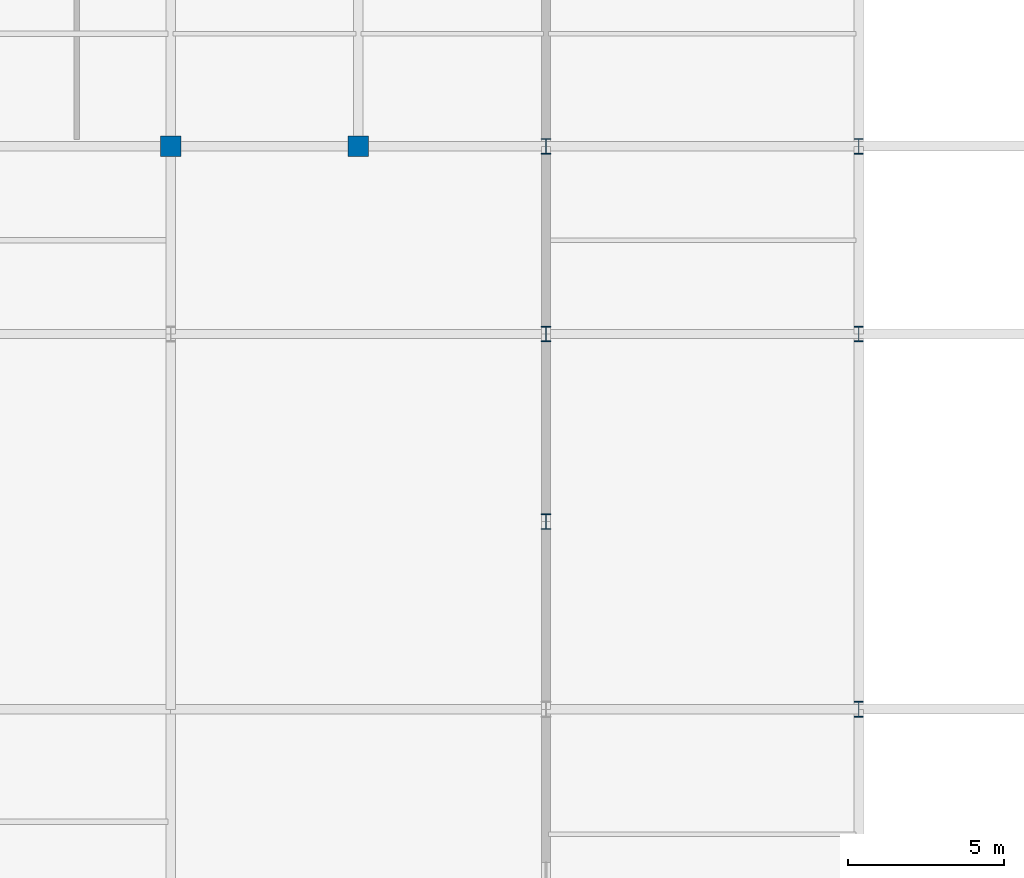
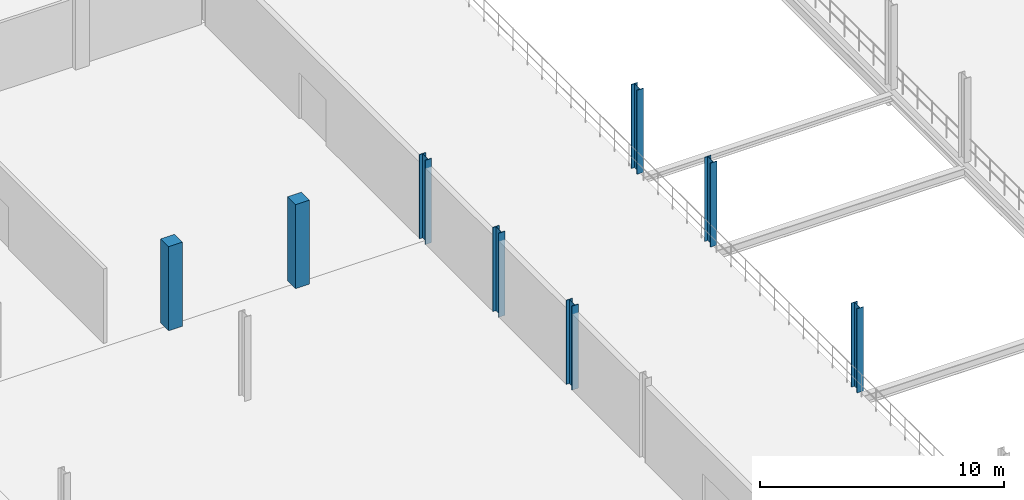
# One storey, part 9 of 158: 8 columns.
"""IFC4 building model written with IfcOpenShell, lengths in metres."""

from ifc_helpers import new_model, si_unit, direction, frame, origin, origin_2d, place, context, subcontext, project, spatial, rectangle, i_section, extrude, material, material_profile, profile_set, type_object, element, save


model = new_model("IFC4")

# Units and contexts
model_context = context("Model", 3, precision=1e-05, world=origin(), true_north=direction((0.0, 1.0)))
body_context = subcontext(model_context, "Body", "Model", "MODEL_VIEW")
ifc_project = project(units=[si_unit("LENGTHUNIT", "METRE"), si_unit("AREAUNIT", "SQUARE_METRE"), si_unit("VOLUMEUNIT", "CUBIC_METRE"), si_unit("PLANEANGLEUNIT", "RADIAN"), si_unit("MASSUNIT", "GRAM", prefix="KILO")], contexts=[model_context])

# Site, building, storey
site_placement = place(None, origin())
site = spatial("IfcSite", under=ifc_project, at=site_placement, CompositionType="ELEMENT")
building_placement = place(site_placement, origin())
building = spatial("IfcBuilding", under=site, at=building_placement, Name="Zilviju Railside Exhibition Hall", CompositionType="ELEMENT")
storey_placement = place(building_placement, frame((0.0, 0.0, 4.199951171875)))
storey = spatial("IfcBuildingStorey", under=building, at=storey_placement, Name="L02", CompositionType="ELEMENT", Elevation=4.199951171875)

# Columns
ifc_material_1 = material(Name="Concrete C35/45", Category="concrete")
ifc_material_profile_1 = material_profile(ifc_material_1, rectangle(XDim=0.64990234375, YDim=0.64990234375, at=origin_2d()), Name="RC COL 650x650")
ifc_profile_set_1 = profile_set([ifc_material_profile_1], Name="Concrete C35/45")
column_type_1 = type_object("IfcColumnType", Name="COL-RC-650", PredefinedType="COLUMN", material=ifc_profile_set_1)
for number, where, z_axis, x_axis, name in (
    (1, (36.0, 84.0, 0.0), (0.0, 0.0, 1.0), (1.0, 0.0, 0.0), "Structural Column L02 (36.0, 84.0)"),
    (2, (42.0, 84.0, 0.0), (0.0, 0.0, 1.0), (1.0, 0.0, 0.0), "Structural Column L02 (42.0, 84.0)"),
):
    element("IfcColumn", number, at=place(storey_placement, frame(where, z_axis=z_axis, x_axis=x_axis)), inside=storey, type_object=column_type_1, Name=name, PredefinedType="COLUMN", context=body_context, shape_type="SweptSolid", body=[
        extrude(rectangle(XDim=0.64990234375, YDim=0.64990234375, at=origin_2d()), origin(), (0.0, 0.0, 1.0), 4.199951171875),
    ])
ifc_material_2 = material(Name="Steel S355J2", Category="steel")
ifc_material_profile_2 = material_profile(ifc_material_2, i_section(OverallWidth=0.300048828125, OverallDepth=0.5, WebThickness=0.014404296875, FlangeThickness=0.028076171875, at=origin_2d()), Name="HEB 500")
ifc_profile_set_2 = profile_set([ifc_material_profile_2], Name="Steel S355J2")
column_type_2 = type_object("IfcColumnType", Name="COL-ST-HEB500", PredefinedType="COLUMN", material=ifc_profile_set_2)
for number, where, z_axis, x_axis, name in (
    (3, (58.0, 66.0, 0.0), (0.0, 0.0, 1.0), (1.0, 0.0, 0.0), "Structural Column L02 (58.0, 66.0)"),
    (4, (48.0, 72.0, 0.0), (0.0, 0.0, 1.0), (1.0, 0.0, 0.0), "Structural Column L02 (48.0, 72.0)"),
    (5, (48.0, 78.0, 0.0), (0.0, 0.0, 1.0), (1.0, 0.0, 0.0), "Structural Column L02 (48.0, 78.0)"),
    (6, (58.0, 78.0, 0.0), (0.0, 0.0, 1.0), (1.0, 0.0, 0.0), "Structural Column L02 (58.0, 78.0)"),
    (7, (48.0, 84.0, 0.0), (0.0, 0.0, 1.0), (1.0, 0.0, 0.0), "Structural Column L02 (48.0, 84.0)"),
    (8, (58.0, 84.0, 0.0), (0.0, 0.0, 1.0), (1.0, 0.0, 0.0), "Structural Column L02 (58.0, 84.0)"),
):
    element("IfcColumn", number, at=place(storey_placement, frame(where, z_axis=z_axis, x_axis=x_axis)), inside=storey, type_object=column_type_2, Name=name, PredefinedType="COLUMN", context=body_context, shape_type="SweptSolid", body=[
        extrude(i_section(OverallWidth=0.300048828125, OverallDepth=0.5, WebThickness=0.014404296875, FlangeThickness=0.028076171875, at=origin_2d()), origin(), (0.0, 0.0, 1.0), 4.199951171875),
    ])

save(model, "model.ifc")
